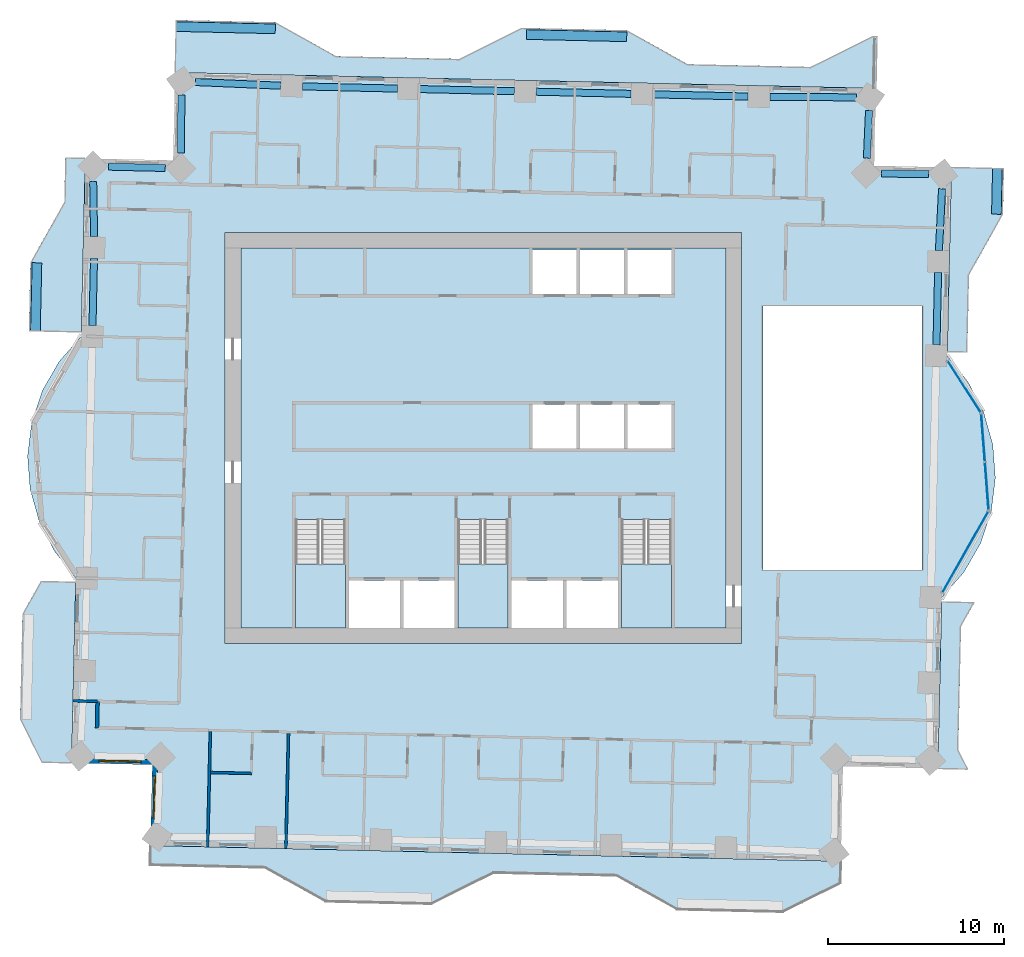
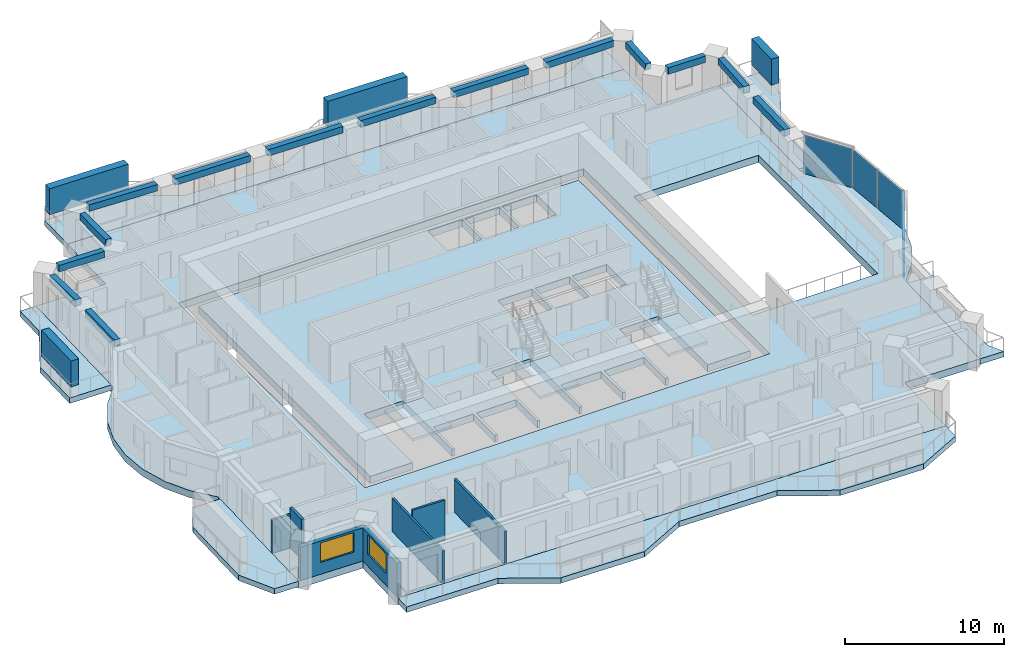
# One storey, part 3 of 14: 14 beams, 11 slabs, 7 walls, 4 members, 4 plates, 2 windows, 2 openings, 6 elements without a shape of their own.
"""IFC4 building model written with IfcOpenShell, lengths in metres."""

import ifcopenshell
import ifcopenshell.guid

model = None  # the IFC model being written
_history = None  # IfcOwnerHistory: only IFC2X3 demands one
_inside = {}  # id of a spatial element -> (the spatial element, [elements in it])
_under = {}  # id of a project, library or spatial element -> (it, [spatial elements below it])
_declared = {}  # id of a project -> (the project, [libraries it declares])
_typed = {}  # id of a type object -> (the type object, [elements of that type])
_made_of = {}  # id of a material, layer set ... -> (it, [elements and type objects made of it])


def new_model(schema):
    """Start an empty IFC model of exactly this schema.

    Asked for "IFC4X3", IfcOpenShell would pick the latest addendum, in which some entities
    have other attributes; the version numbers below select the first issue.
    IFC2X3 requires an IfcOwnerHistory on every rooted entity: one is made here for all.
    """
    global model, _history
    if schema == "IFC4X3":
        model = ifcopenshell.file(schema_version=(4, 3, 0, 0))
    else:
        model = ifcopenshell.file(schema=schema)
    _inside.clear()
    _under.clear()
    _declared.clear()
    _typed.clear()
    _made_of.clear()
    _history = None
    if model.schema == "IFC2X3":
        org = make("IfcOrganization", Name="unknown")
        user = make(
            "IfcPersonAndOrganization",
            ThePerson=make("IfcPerson", FamilyName="unknown"),
            TheOrganization=org,
        )
        app = make(
            "IfcApplication",
            ApplicationDeveloper=org,
            Version="unknown",
            ApplicationFullName="unknown",
            ApplicationIdentifier="unknown",
        )
        _history = make(
            "IfcOwnerHistory",
            OwningUser=user,
            OwningApplication=app,
            ChangeAction="ADDED",
            CreationDate=0,
        )
    return model


def make(cls, **values):
    """One entity of the class cls with the attributes given. An attribute that is None is left unset."""
    return model.create_entity(
        cls, **{name: value for name, value in values.items() if value is not None}
    )


def rooted(cls, **values):
    """An entity with a GlobalId (a new one), such as an element, a storey or a relation."""
    return make(cls, GlobalId=ifcopenshell.guid.new(), OwnerHistory=_history, **values)


def si_unit(unit_type, name, prefix=None):
    """IfcSIUnit, for example si_unit("LENGTHUNIT", "METRE", prefix="MILLI")."""
    return make("IfcSIUnit", UnitType=unit_type, Prefix=prefix, Name=name)


def assignment(units):
    """IfcUnitAssignment: the units of a project."""
    return None if units is None else make("IfcUnitAssignment", Units=units)


def point(xyz):
    """IfcCartesianPoint."""
    return None if xyz is None else make("IfcCartesianPoint", Coordinates=xyz)


def direction(xyz):
    """IfcDirection."""
    return None if xyz is None else make("IfcDirection", DirectionRatios=xyz)


def frame(location, z_axis=None, x_axis=None):
    """IfcAxis2Placement3D, a coordinate frame: its origin and axes. An axis left out is left unset."""
    return make(
        "IfcAxis2Placement3D",
        Location=point(location),
        Axis=direction(z_axis),
        RefDirection=direction(x_axis),
    )


def frame_2d(location, x_axis=None):
    """IfcAxis2Placement2D, a coordinate frame in the plane: its origin and x axis."""
    return make(
        "IfcAxis2Placement2D", Location=point(location), RefDirection=direction(x_axis)
    )


def origin():
    """The frame at (0, 0, 0) with its axes left unset."""
    return frame((0.0, 0.0, 0.0))


def origin_2d():
    """The frame at (0, 0) in the plane with its x axis left unset."""
    return frame_2d((0.0, 0.0))


def place(relative_to, where):
    """IfcLocalPlacement: puts the frame where relative to a parent placement (None: the world)."""
    return make(
        "IfcLocalPlacement", PlacementRelTo=relative_to, RelativePlacement=where
    )


def context(
    kind, dimensions, precision=None, world=None, true_north=None, identifier=None
):
    """IfcGeometricRepresentationContext, for example the 3D "Model" context."""
    return make(
        "IfcGeometricRepresentationContext",
        ContextIdentifier=identifier,
        ContextType=kind,
        CoordinateSpaceDimension=dimensions,
        Precision=precision,
        WorldCoordinateSystem=world,
        TrueNorth=true_north,
    )


def subcontext(parent, identifier, kind, view, scale=None):
    """IfcGeometricRepresentationSubContext, for example "Body" below "Model"."""
    return make(
        "IfcGeometricRepresentationSubContext",
        ContextIdentifier=identifier,
        ContextType=kind,
        ParentContext=parent,
        TargetScale=scale,
        TargetView=view,
    )


def project(units=None, contexts=None):
    """IfcProject with its units and contexts."""
    return rooted(
        "IfcProject",
        Name="project",
        RepresentationContexts=contexts,
        UnitsInContext=assignment(units),
    )


def spatial(cls, under=None, at=None, **own):
    """A site, building, storey or space (cls), placed at a placement, below another one or the project."""
    s = rooted(cls, ObjectPlacement=at, **own)
    if under is not None:
        _under.setdefault(under.id(), (under, []))[1].append(s)
    return s


def polyline(points):
    """IfcPolyline through the points."""
    return make("IfcPolyline", Points=[point(p) for p in points])


def profile(cls, at=None, kind="AREA", **sizes):
    """A parametric profile (cls). Its sizes go by their IFC names, for example OverallWidth=200.0."""
    return make(cls, ProfileType=kind, Position=at, **sizes)


def rectangle(**sizes):
    """IfcRectangleProfileDef."""
    return profile("IfcRectangleProfileDef", **sizes)


def outline(outer, holes=None, kind="AREA"):
    """IfcArbitraryClosedProfileDef: a profile drawn as a closed curve; with holes, ...WithVoids."""
    if holes is None:
        return make("IfcArbitraryClosedProfileDef", ProfileType=kind, OuterCurve=outer)
    return make(
        "IfcArbitraryProfileDefWithVoids",
        ProfileType=kind,
        OuterCurve=outer,
        InnerCurves=holes,
    )


def extrude(swept, where, along, depth):
    """IfcExtrudedAreaSolid: the profile swept, set in the frame where, extruded along a direction by depth."""
    return make(
        "IfcExtrudedAreaSolid",
        SweptArea=swept,
        Position=where,
        ExtrudedDirection=direction(along),
        Depth=depth,
    )


def shape(context_of_items, identifier, shape_type, items):
    """IfcShapeRepresentation: the items that make up one representation, for example the "Body"."""
    return make(
        "IfcShapeRepresentation",
        ContextOfItems=context_of_items,
        RepresentationIdentifier=identifier,
        RepresentationType=shape_type,
        Items=items,
    )


def material(Name=None, Category=None):
    """IfcMaterial."""
    return make("IfcMaterial", Name=Name, Category=Category)


def layer(
    of_material, thickness, ventilated=None, Name=None, Category=None, Priority=None
):
    """IfcMaterialLayer: one layer of a wall or slab, of a material (None: an air gap)."""
    return make(
        "IfcMaterialLayer",
        Material=of_material,
        LayerThickness=thickness,
        IsVentilated=ventilated,
        Name=Name,
        Category=Category,
        Priority=Priority,
    )


def layer_set(layers, Name=None):
    """IfcMaterialLayerSet."""
    return make("IfcMaterialLayerSet", MaterialLayers=layers, LayerSetName=Name)


def material_profile(
    of_material, cross_section, Name=None, Category=None, Priority=None
):
    """IfcMaterialProfile: a cross section and its material."""
    return make(
        "IfcMaterialProfile",
        Name=Name,
        Material=of_material,
        Profile=cross_section,
        Priority=Priority,
        Category=Category,
    )


def profile_set(profiles, Name=None, composite=None):
    """IfcMaterialProfileSet."""
    return make(
        "IfcMaterialProfileSet",
        Name=Name,
        MaterialProfiles=profiles,
        CompositeProfile=composite,
    )


def made_of(thing, what):
    """Note that an element or type object is made of a material, layer set ...; save() writes the relation."""
    if what is not None:
        _made_of.setdefault(what.id(), (what, []))[1].append(thing)
    return thing


def type_object(cls, material=None, **own):
    """A type object (cls), such as IfcWallType, which elements share."""
    return made_of(rooted(cls, **own), material)


def element(
    cls,
    number,
    at=None,
    inside=None,
    cuts=None,
    type_object=None,
    material=None,
    context=None,
    identifier="Body",
    shape_type=None,
    held_by="IfcProductDefinitionShape",
    body=None,
    shapes=None,
    **own,
):
    """One element of the class cls, such as IfcWall. Its Tag is "e" and its number.

    at: its placement. inside: the storey or other place that contains it. cuts: it is an
    opening in that element (IfcRelVoidsElement). A single representation is given by context,
    identifier, shape_type and body (its items); several are given by shapes. held_by: the class
    of the entity that holds the representations. save() writes the other relations.
    """
    e = rooted(cls, Tag="e%d" % number, ObjectPlacement=at, **own)
    if body is not None:
        shapes = [shape(context, identifier, shape_type, body)]
    if shapes is not None:
        e.Representation = make(held_by, Representations=shapes)
    if inside is not None:
        _inside.setdefault(inside.id(), (inside, []))[1].append(e)
    if cuts is not None:
        rooted(
            "IfcRelVoidsElement", RelatingBuildingElement=cuts, RelatedOpeningElement=e
        )
    if type_object is not None:
        _typed.setdefault(type_object.id(), (type_object, []))[1].append(e)
    return made_of(e, material)


def fill(opening, filler):
    """IfcRelFillsElement: the door or window that sits in an opening."""
    return rooted(
        "IfcRelFillsElement",
        RelatingOpeningElement=opening,
        RelatedBuildingElement=filler,
    )


def aggregate(whole, parts):
    """IfcRelAggregates: a whole, such as a stair, and the parts it consists of."""
    return rooted("IfcRelAggregates", RelatingObject=whole, RelatedObjects=parts)


def save(model, path):
    """Write the relations noted so far, then the file.

    IfcRelAggregates (storeys below a building ...), IfcRelContainedInSpatialStructure (elements
    in a storey), IfcRelDefinesByType, IfcRelAssociatesMaterial and IfcRelDeclares: one each for
    every whole, place, type object, material and project.
    """
    for whole, parts in _under.values():
        aggregate(whole, parts)
    for where, things in _inside.values():
        rooted(
            "IfcRelContainedInSpatialStructure",
            RelatedElements=things,
            RelatingStructure=where,
        )
    for kind, things in _typed.values():
        rooted("IfcRelDefinesByType", RelatedObjects=things, RelatingType=kind)
    for what, things in _made_of.values():
        rooted("IfcRelAssociatesMaterial", RelatedObjects=things, RelatingMaterial=what)
    for by, libraries in _declared.values():
        rooted("IfcRelDeclares", RelatingContext=by, RelatedDefinitions=libraries)
    model.write(path)


model = new_model("IFC4")

# Units and contexts
model_context = context("Model", 3, precision=1e-05, world=origin(), true_north=direction((0.0, 1.0)))
body_context = subcontext(model_context, "Body", "Model", "MODEL_VIEW")
ifc_project = project(units=[si_unit("LENGTHUNIT", "METRE"), si_unit("AREAUNIT", "SQUARE_METRE"), si_unit("VOLUMEUNIT", "CUBIC_METRE"), si_unit("PLANEANGLEUNIT", "RADIAN"), si_unit("MASSUNIT", "GRAM", prefix="KILO")], contexts=[model_context])

# Site, building, storey
site_placement = place(None, origin())
site = spatial("IfcSite", under=ifc_project, at=site_placement, CompositionType="ELEMENT")
building_placement = place(site_placement, origin())
building = spatial("IfcBuilding", under=site, at=building_placement, Name="Mangrove Gate Tower", CompositionType="ELEMENT")
storey_placement = place(building_placement, frame((0.0, 0.0, 167.10009765625)))
storey = spatial("IfcBuildingStorey", under=building, at=storey_placement, Name="L42", CompositionType="ELEMENT", Elevation=167.10009765625)

# Members
ifc_material_1 = material(Name="Planting on aluminium trellis", Category="aluminium")
ifc_material_profile_1 = material_profile(ifc_material_1, rectangle(XDim=0.550048828125, YDim=2.0, at=origin_2d()))
ifc_profile_set_1 = profile_set([ifc_material_profile_1], Name="Planting on aluminium trellis")
member_type = type_object("IfcMemberType", Name="Balcony greenery screen 550x2000", PredefinedType="USERDEFINED", material=ifc_profile_set_1)
member_1_placement = place(storey_placement, frame((29.18798828125, 12.72802734375, 1.7998046875), z_axis=(0.022727805448, 0.999741690068, 0.0), x_axis=(-0.999741690068, 0.022727805448, 0.0)))
element("IfcMember", 1, at=member_1_placement, inside=storey, type_object=member_type, Name="GREEN SCREEN L42 E1.1", ObjectType="PLANTING", PredefinedType="USERDEFINED", context=body_context, shape_type="SweptSolid", body=[
    extrude(rectangle(XDim=0.550048828125, YDim=2.0, at=origin_2d()), origin(), (0.0, 0.0, 1.0), 2.599609375),
])
member_2_placement = place(storey_placement, frame((2.458984375, 22.951904296875, 1.7998046875), z_axis=(0.999744196375, -0.022617290187, 0.0), x_axis=(0.022617290187, 0.999744196375, 0.0)))
element("IfcMember", 2, at=member_2_placement, inside=storey, type_object=member_type, Name="GREEN SCREEN L42 N0.1", ObjectType="PLANTING", PredefinedType="USERDEFINED", context=body_context, shape_type="SweptSolid", body=[
    extrude(rectangle(XDim=0.550048828125, YDim=2.0, at=origin_2d()), origin(), (0.0, 0.0, 1.0), 5.699462890625),
])
member_3_placement = place(storey_placement, frame((-17.47607421875, 23.404052734375, 1.7998046875), z_axis=(0.999741701433, -0.022727305502, 0.0), x_axis=(0.022727305502, 0.999741701433, 0.0)))
element("IfcMember", 3, at=member_3_placement, inside=storey, type_object=member_type, Name="GREEN SCREEN L42 N1.1", ObjectType="PLANTING", PredefinedType="USERDEFINED", context=body_context, shape_type="SweptSolid", body=[
    extrude(rectangle(XDim=0.550048828125, YDim=2.0, at=origin_2d()), origin(), (0.0, 0.0, 1.0), 5.6396484375),
])
member_4_placement = place(storey_placement, frame((-25.486083984375, 6.092041015625, 1.7998046875), z_axis=(0.022744303924, 0.999741314861, 0.0), x_axis=(-0.999741314861, 0.022744303924, 0.0)))
element("IfcMember", 4, at=member_4_placement, inside=storey, type_object=member_type, Name="GREEN SCREEN L42 W0.1", ObjectType="PLANTING", PredefinedType="USERDEFINED", context=body_context, shape_type="SweptSolid", body=[
    extrude(rectangle(XDim=0.550048828125, YDim=2.0, at=origin_2d()), origin(), (0.0, 0.0, 1.0), 3.875),
])

# Beams
ifc_material_2 = material(Name="Concrete C50/60", Category="concrete")
ifc_material_profile_2 = material_profile(ifc_material_2, rectangle(XDim=0.39990234375, YDim=0.5, at=origin_2d()))
ifc_profile_set_2 = profile_set([ifc_material_profile_2], Name="Concrete C50/60")
beam_type = type_object("IfcBeamType", Name="Edge beam RC 400x500 C50/60", PredefinedType="BEAM", material=ifc_profile_set_2)
beam_1_placement = place(storey_placement, frame((25.779296875, 5.303955078125, 2.7998046875), z_axis=(0.022564934913, 0.99974537944, 0.0), x_axis=(-0.99974537944, 0.022564934913, 0.0)))
element("IfcBeam", 5, at=beam_1_placement, inside=storey, type_object=beam_type, Name="Edge beam L42 15", PredefinedType="BEAM", context=body_context, shape_type="SweptSolid", body=[
    extrude(rectangle(XDim=0.39990234375, YDim=0.5, at=origin_2d()), origin(), (0.0, 0.0, 1.0), 4.111328125),
])
beam_2_placement = place(storey_placement, frame((25.918212890625, 10.66357421875, 2.7998046875), z_axis=(0.051264492748, 0.998685111426, 0.0), x_axis=(-0.998685111426, 0.051264492748, 0.0)))
element("IfcBeam", 6, at=beam_2_placement, inside=storey, type_object=beam_type, Name="Edge beam L42 16", PredefinedType="BEAM", context=body_context, shape_type="SweptSolid", body=[
    extrude(rectangle(XDim=0.39990234375, YDim=0.5, at=origin_2d()), origin(), (0.0, 0.0, 1.0), 3.5146484375),
])
beam_3_placement = place(storey_placement, frame((25.33935546875, 15.010498046875, 2.7998046875), z_axis=(-0.999924520308, 0.012286321129, 0.0), x_axis=(-0.012286321129, -0.999924520308, 0.0)))
element("IfcBeam", 7, at=beam_3_placement, inside=storey, type_object=beam_type, Name="Edge beam L42 17", PredefinedType="BEAM", context=body_context, shape_type="SweptSolid", body=[
    extrude(rectangle(XDim=0.39990234375, YDim=0.5, at=origin_2d()), origin(), (0.0, 0.0, 1.0), 2.6826171875),
])
beam_4_placement = place(storey_placement, frame((21.821044921875, 15.91796875, 2.7998046875), z_axis=(0.04517139191, 0.998979251713, 0.0), x_axis=(-0.998979251713, 0.04517139191, 0.0)))
element("IfcBeam", 8, at=beam_4_placement, inside=storey, type_object=beam_type, Name="Edge beam L42 18", PredefinedType="BEAM", context=body_context, shape_type="SweptSolid", body=[
    extrude(rectangle(XDim=0.39990234375, YDim=0.5, at=origin_2d()), origin(), (0.0, 0.0, 1.0), 2.718505859375),
])
beam_5_placement = place(storey_placement, frame((21.21923828125, 19.37646484375, 2.7998046875), z_axis=(-0.999980449933, 0.006252979488, 0.0), x_axis=(-0.006252979488, -0.999980449933, 0.0)))
element("IfcBeam", 9, at=beam_5_placement, inside=storey, type_object=beam_type, Name="Edge beam L42 19", PredefinedType="BEAM", context=body_context, shape_type="SweptSolid", body=[
    extrude(rectangle(XDim=0.39990234375, YDim=0.5, at=origin_2d()), origin(), (0.0, 0.0, 1.0), 4.91943359375),
])
beam_6_placement = place(storey_placement, frame((15.050048828125, 19.42529296875, 2.7998046875), z_axis=(-0.99974211572, 0.022709074303, 0.0), x_axis=(-0.022709074303, -0.99974211572, 0.0)))
element("IfcBeam", 10, at=beam_6_placement, inside=storey, type_object=beam_type, Name="Edge beam L42 20", PredefinedType="BEAM", context=body_context, shape_type="SweptSolid", body=[
    extrude(rectangle(XDim=0.39990234375, YDim=0.5, at=origin_2d()), origin(), (0.0, 0.0, 1.0), 5.39697265625),
])
for number, where, z_axis, x_axis, name in (
    (11, (8.405029296875, 19.576416015625, 2.7998046875), (-0.99974209239, 0.022710101379, 0.0), (-0.022710101379, -0.99974209239, 0.0), "Edge beam L42 21"),
    (12, (1.760009765625, 19.727294921875, 2.7998046875), (-0.999745164565, 0.022574453012, 0.0), (-0.022574453012, -0.999745164565, 0.0), "Edge beam L42 22"),
    (13, (-4.885009765625, 19.87744140625, 2.7998046875), (-0.99974209239, 0.022710101379, 0.0), (-0.022710101379, -0.99974209239, 0.0), "Edge beam L42 23"),
):
    element("IfcBeam", number, at=place(storey_placement, frame(where, z_axis=z_axis, x_axis=x_axis)), inside=storey, type_object=beam_type, Name=name, PredefinedType="BEAM", context=body_context, shape_type="SweptSolid", body=[
        extrude(rectangle(XDim=0.39990234375, YDim=0.5, at=origin_2d()), origin(), (0.0, 0.0, 1.0), 5.396728515625),
    ])
beam_7_placement = place(storey_placement, frame((-11.52978515625, 20.040771484375, 2.7998046875), z_axis=(-0.99908526165, 0.04276259995, 0.0), x_axis=(-0.04276259995, -0.99908526165, 0.0)))
element("IfcBeam", 14, at=beam_7_placement, inside=storey, type_object=beam_type, Name="Edge beam L42 24", PredefinedType="BEAM", context=body_context, shape_type="SweptSolid", body=[
    extrude(rectangle(XDim=0.39990234375, YDim=0.5, at=origin_2d()), origin(), (0.0, 0.0, 1.0), 4.852783203125),
])
beam_8_placement = place(storey_placement, frame((-17.1787109375, 19.5078125, 2.7998046875), z_axis=(-0.009256805477, -0.999957154858, 0.0), x_axis=(0.999957154858, -0.009256805477, 0.0)))
element("IfcBeam", 15, at=beam_8_placement, inside=storey, type_object=beam_type, Name="Edge beam L42 25", PredefinedType="BEAM", context=body_context, shape_type="SweptSolid", body=[
    extrude(rectangle(XDim=0.39990234375, YDim=0.5, at=origin_2d()), origin(), (0.0, 0.0, 1.0), 3.296875),
])
beam_9_placement = place(storey_placement, frame((-18.100341796875, 15.35986328125, 2.7998046875), z_axis=(-0.999728264074, 0.023310899004, 0.0), x_axis=(-0.023310899004, -0.999728264074, 0.0)))
element("IfcBeam", 16, at=beam_9_placement, inside=storey, type_object=beam_type, Name="Edge beam L42 26", PredefinedType="BEAM", context=body_context, shape_type="SweptSolid", body=[
    extrude(rectangle(XDim=0.39990234375, YDim=0.5, at=origin_2d()), origin(), (0.0, 0.0, 1.0), 3.236328125),
])
beam_10_placement = place(storey_placement, frame((-22.199462890625, 14.599609375, 2.7998046875), z_axis=(0.016224572201, -0.999868372966, 0.0), x_axis=(0.999868372966, 0.016224572201, 0.0)))
element("IfcBeam", 17, at=beam_10_placement, inside=storey, type_object=beam_type, Name="Edge beam L42 27", PredefinedType="BEAM", context=body_context, shape_type="SweptSolid", body=[
    extrude(rectangle(XDim=0.39990234375, YDim=0.5, at=origin_2d()), origin(), (0.0, 0.0, 1.0), 3.14501953125),
])
beam_11_placement = place(storey_placement, frame((-22.15234375, 10.205078125, 2.7998046875), z_axis=(-0.022733042384, -0.999741570999, 0.0), x_axis=(0.999741570999, -0.022733042384, 0.0)))
element("IfcBeam", 18, at=beam_11_placement, inside=storey, type_object=beam_type, Name="Edge beam L42 28", PredefinedType="BEAM", context=body_context, shape_type="SweptSolid", body=[
    extrude(rectangle(XDim=0.39990234375, YDim=0.5, at=origin_2d()), origin(), (0.0, 0.0, 1.0), 3.8125),
])

# Curtain wall, plate
ifc_material_3 = material(Name="Aluminium and glass curtain wall", Category="aluminium")
curtain_wall_type = type_object("IfcCurtainWallType", Name="Atrium garden-court glazing wall", PredefinedType="NOTDEFINED", material=ifc_material_3)
curtain_wall_1_placement = place(storey_placement, origin())
curtain_wall_1 = element("IfcCurtainWall", 19, at=curtain_wall_1_placement, inside=storey, type_object=curtain_wall_type, Name="Atrium garden-court glazing E1f1", PredefinedType="NOTDEFINED")
ifc_material_4 = material(Name="Laminated low-e glass", Category="glass")
ifc_layer_1 = layer(ifc_material_4, 0.031982421875)
ifc_layer_set_1 = layer_set([ifc_layer_1], Name="Atrium garden-court glazing panel 32")
plate_type = type_object("IfcPlateType", Name="Atrium garden-court glazing panel 32", PredefinedType="CURTAIN_PANEL", material=ifc_layer_set_1)
plate_1_placement = place(storey_placement, frame((27.4228515625, -6.48876953125, 0.0), z_axis=(0.0, 0.0, 1.0), x_axis=(0.492564461279, 0.870275962833, 0.0)))
plate_1 = element("IfcPlate", 20, at=plate_1_placement, type_object=plate_type, Name="CWA panel 1.1", PredefinedType="CURTAIN_PANEL", context=body_context, shape_type="SweptSolid", body=[
    extrude(rectangle(XDim=5.257568359375, YDim=0.031982421875, at=origin_2d()), origin(), (0.0, 0.0, 1.0), 2.97998046875),
])
aggregate(curtain_wall_1, [plate_1])

# Curtain wall, plates
curtain_wall_2_placement = place(storey_placement, origin())
curtain_wall_2 = element("IfcCurtainWall", 21, at=curtain_wall_2_placement, inside=storey, type_object=curtain_wall_type, Name="Atrium garden-court glazing E1f2", PredefinedType="NOTDEFINED")
plate_2_placement = place(storey_placement, frame((28.6435546875, -2.7333984375, 0.0), z_axis=(0.0, 0.0, 1.0), x_axis=(-0.077023348403, 0.997029289339, 0.0)))
plate_2 = element("IfcPlate", 22, at=plate_2_placement, type_object=plate_type, Name="CWA panel 1.1", PredefinedType="CURTAIN_PANEL", context=body_context, shape_type="SweptSolid", body=[
    extrude(rectangle(XDim=2.681640625, YDim=0.031982421875, at=origin_2d()), origin(), (0.0, 0.0, 1.0), 2.97998046875),
])
plate_3_placement = place(storey_placement, frame((28.431640625, 0.01025390625, 0.0), z_axis=(0.0, 0.0, 1.0), x_axis=(-0.077023348403, 0.997029289339, 0.0)))
plate_3 = element("IfcPlate", 23, at=plate_3_placement, type_object=plate_type, Name="CWA panel 2.1", PredefinedType="CURTAIN_PANEL", context=body_context, shape_type="SweptSolid", body=[
    extrude(rectangle(XDim=2.681640625, YDim=0.031982421875, at=origin_2d()), origin(), (0.0, 0.0, 1.0), 2.97998046875),
])
aggregate(curtain_wall_2, [plate_2, plate_3])

# Curtain wall, plate
curtain_wall_3_placement = place(storey_placement, origin())
curtain_wall_3 = element("IfcCurtainWall", 24, at=curtain_wall_3_placement, inside=storey, type_object=curtain_wall_type, Name="Atrium garden-court glazing E1f3", PredefinedType="NOTDEFINED")
plate_4_placement = place(storey_placement, frame((27.358642578125, 2.917724609375, 0.0), z_axis=(0.0, 0.0, 1.0), x_axis=(-0.540496322894, 0.841346376315, 0.0)))
plate_4 = element("IfcPlate", 25, at=plate_4_placement, type_object=plate_type, Name="CWA panel 1.1", PredefinedType="CURTAIN_PANEL", context=body_context, shape_type="SweptSolid", body=[
    extrude(rectangle(XDim=3.427978515625, YDim=0.031982421875, at=origin_2d()), origin(), (0.0, 0.0, 1.0), 2.97998046875),
])
aggregate(curtain_wall_3, [plate_4])

# Slabs
ifc_material_5 = material(Name="Porcelain tile")
ifc_layer_2 = layer(ifc_material_5, 0.02001953125, Name="Tile finish")
ifc_material_6 = material(Name="Cement sand screed")
ifc_layer_3 = layer(ifc_material_6, 0.0400390625, Name="Screed laid to falls")
ifc_material_7 = material(Name="Bituminous waterproofing membrane")
ifc_layer_4 = layer(ifc_material_7, 0.00390625, Name="Waterproofing")
ifc_material_8 = material(Name="Concrete C40/50", Category="concrete")
ifc_layer_5 = layer(ifc_material_8, 0.340087890625, Name="Balcony structural slab")
ifc_material_9 = material(Name="Limestone", Category="masonry")
ifc_layer_6 = layer(ifc_material_9, 0.01611328125, Name="Soffit lining")
ifc_layer_set_2 = layer_set([ifc_layer_2, ifc_layer_3, ifc_layer_4, ifc_layer_5, ifc_layer_6], Name="Balcony slab 420 C40/50")
slab_type_1 = type_object("IfcSlabType", Name="Balcony slab 420 C40/50", PredefinedType="FLOOR", material=ifc_layer_set_2)
slab_1_placement = place(storey_placement, frame((0.0, 0.0, -0.420166015625)))
element("IfcSlab", 26, at=slab_1_placement, inside=storey, type_object=slab_type_1, Name="BALCONY L42 E0", PredefinedType="FLOOR", context=body_context, shape_type="SweptSolid", body=[
    extrude(outline(polyline([(27.577880859375, -18.843994140625), (27.02197265625, -17.73095703125), (27.180908203125, -10.73291015625), (27.93798828125, -9.375), (26.072021484375, -9.3330078125), (26.041015625, -10.70703125), (25.882080078125, -17.705078125), (25.85693359375, -18.804931640625), (27.577880859375, -18.843994140625)])), origin(), (0.0, 0.0, 1.0), 0.420166015625),
])
slab_2_placement = place(storey_placement, frame((0.0, 0.0, -0.420166015625)))
element("IfcSlab", 27, at=slab_2_placement, inside=storey, type_object=slab_type_1, Name="BALCONY L42 E1", PredefinedType="FLOOR", context=body_context, shape_type="SweptSolid", body=[
    extrude(outline(polyline([(27.534912109375, 4.888916015625), (27.634033203125, 9.261962890625), (29.56298828125, 12.718994140625), (29.6220703125, 15.319091796875), (26.633056640625, 15.385986328125), (26.573974609375, 12.787109375), (26.4951171875, 9.2880859375), (26.39501953125, 4.9140625), (27.534912109375, 4.888916015625)])), origin(), (0.0, 0.0, 1.0), 0.420166015625),
])
slab_3_placement = place(storey_placement, frame((0.0, 0.0, -0.420166015625)))
element("IfcSlab", 28, at=slab_3_placement, inside=storey, type_object=slab_type_1, Name="BALCONY L42 N0", PredefinedType="FLOOR", context=body_context, shape_type="SweptSolid", body=[
    extrude(outline(polyline([(22.402099609375, 22.8740234375), (22.162109375, 22.8798828125), (18.62109375, 21.110107421875), (11.623046875, 21.26904296875), (8.1650390625, 23.197021484375), (2.1669921875, 23.333984375), (-1.3740234375, 21.56396484375), (-8.3720703125, 21.721923828125), (-11.8291015625, 23.65087890625), (-17.468017578125, 23.779052734375), (-17.535888671875, 20.7900390625), (2.09912109375, 20.343994140625), (2.39892578125, 20.337890625), (22.333984375, 19.885009765625), (22.402099609375, 22.8740234375)])), origin(), (0.0, 0.0, 1.0), 0.420166015625),
])
slab_4_placement = place(storey_placement, frame((0.0, 0.0, -0.420166015625)))
element("IfcSlab", 29, at=slab_4_placement, inside=storey, type_object=slab_type_1, Name="BALCONY L42 W0", PredefinedType="FLOOR", context=body_context, shape_type="SweptSolid", body=[
    extrude(outline(polyline([(-23.7880859375, 15.930908203125), (-23.843994140625, 13.430908203125), (-25.77294921875, 9.97412109375), (-25.861083984375, 6.10009765625), (-22.8720703125, 6.032958984375), (-22.783935546875, 9.906005859375), (-22.705078125, 13.405029296875), (-22.64794921875, 15.905029296875), (-23.7880859375, 15.930908203125)])), origin(), (0.0, 0.0, 1.0), 0.420166015625),
])
slab_5_placement = place(storey_placement, frame((0.0, 0.0, -0.420166015625)))
element("IfcSlab", 30, at=slab_5_placement, inside=storey, type_object=slab_type_1, Name="BALCONY L42 W1", PredefinedType="FLOOR", context=body_context, shape_type="SweptSolid", body=[
    extrude(outline(polyline([(-25.194091796875, -8.1689453125), (-26.22705078125, -10.02099609375), (-26.363037109375, -16.01904296875), (-25.14892578125, -18.447021484375), (-23.427978515625, -18.487060546875), (-23.3740234375, -16.0869140625), (-23.238037109375, -10.089111328125), (-23.195068359375, -8.214111328125), (-25.194091796875, -8.1689453125)])), origin(), (0.0, 0.0, 1.0), 0.420166015625),
])
slab_6_placement = place(storey_placement, frame((0.0, 0.0, -0.420166015625)))
element("IfcSlab", 31, at=slab_6_placement, inside=storey, type_object=slab_type_1, Name="BALCONY L42 S0", PredefinedType="FLOOR", context=body_context, shape_type="SweptSolid", body=[
    extrude(outline(polyline([(-18.9599609375, -24.3291015625), (-12.422119140625, -24.47802734375), (-8.964111328125, -26.406982421875), (-2.966064453125, -26.54296875), (0.574951171875, -24.77294921875), (0.675048828125, -24.77490234375), (7.572998046875, -24.931884765625), (11.030029296875, -26.860107421875), (17.029052734375, -26.9970703125), (20.306884765625, -25.35791015625), (20.3359375, -24.0810546875), (-18.93408203125, -23.18994140625), (-18.9599609375, -24.3291015625)])), origin(), (0.0, 0.0, 1.0), 0.420166015625),
])
ifc_material_10 = material(Name="Concrete C40/50", Category="concrete")
ifc_layer_7 = layer(ifc_material_10, 0.550048828125)
ifc_layer_set_3 = layer_set([ifc_layer_7], Name="Core floor slab 550 C40/50")
slab_type_2 = type_object("IfcSlabType", Name="Core floor slab 550 C40/50", PredefinedType="FLOOR", material=ifc_layer_set_3)
slab_7_placement = place(storey_placement, frame((0.0, 0.0, -0.550048828125)))
element("IfcSlab", 32, at=slab_7_placement, inside=storey, type_object=slab_type_2, Name="SLAB-L42-CORE-1", PredefinedType="FLOOR", context=body_context, shape_type="SweptSolid", body=[
    extrude(outline(polyline([(-13.800048828125, -10.800048828125), (-13.800048828125, 10.800048828125), (13.800048828125, 10.800048828125), (13.800048828125, -10.800048828125), (10.699951171875, -10.800048828125), (10.699951171875, -4.653076171875), (7.85009765625, -4.653076171875), (7.85009765625, -10.800048828125), (7.64990234375, -10.800048828125), (7.64990234375, -8.10009765625), (4.72509765625, -8.10009765625), (4.72509765625, -10.800048828125), (4.52490234375, -10.800048828125), (4.52490234375, -8.10009765625), (1.60009765625, -8.10009765625), (1.60009765625, -10.800048828125), (1.39990234375, -10.800048828125), (1.39990234375, -4.653076171875), (-1.449951171875, -4.653076171875), (-1.449951171875, -10.800048828125), (-1.64990234375, -10.800048828125), (-1.64990234375, -8.10009765625), (-4.550048828125, -8.10009765625), (-4.550048828125, -10.800048828125), (-4.75, -10.800048828125), (-4.75, -8.10009765625), (-7.64990234375, -8.10009765625), (-7.64990234375, -10.800048828125), (-7.85009765625, -10.800048828125), (-7.85009765625, -4.653076171875), (-10.699951171875, -4.653076171875), (-10.699951171875, -10.800048828125), (-13.800048828125, -10.800048828125)]), holes=[polyline([(5.300048828125, -0.60009765625), (5.300048828125, 1.89990234375), (2.800048828125, 1.89990234375), (2.800048828125, -0.60009765625), (5.300048828125, -0.60009765625)]), polyline([(5.300048828125, 10.699951171875), (2.800048828125, 10.699951171875), (2.800048828125, 8.199951171875), (5.300048828125, 8.199951171875), (5.300048828125, 10.699951171875)]), polyline([(8.0, -0.60009765625), (8.0, 1.89990234375), (5.5, 1.89990234375), (5.5, -0.60009765625), (8.0, -0.60009765625)]), polyline([(10.699951171875, -0.60009765625), (10.699951171875, 1.89990234375), (8.199951171875, 1.89990234375), (8.199951171875, -0.60009765625), (10.699951171875, -0.60009765625)]), polyline([(8.0, 8.199951171875), (8.0, 10.699951171875), (5.5, 10.699951171875), (5.5, 8.199951171875), (8.0, 8.199951171875)]), polyline([(10.699951171875, 8.199951171875), (10.699951171875, 10.699951171875), (8.199951171875, 10.699951171875), (8.199951171875, 8.199951171875), (10.699951171875, 8.199951171875)])]), origin(), (0.0, 0.0, 1.0), 0.550048828125),
])

# Stair, slab
ifc_material_11 = material(Name="Concrete C40/50", Category="concrete")
stair_type = type_object("IfcStairType", Name="Core stair 1350", PredefinedType="HALF_TURN_STAIR", material=ifc_material_11)
stair_1_placement = place(storey_placement, origin())
stair_1 = element("IfcStair", 33, at=stair_1_placement, inside=storey, type_object=stair_type, Name="L42 Stair 1", PredefinedType="HALF_TURN_STAIR")
ifc_material_12 = material(Name="Concrete C40/50", Category="concrete")
ifc_layer_8 = layer(ifc_material_12, 0.199951171875)
ifc_layer_set_4 = layer_set([ifc_layer_8], Name="Core stair landing 200")
slab_type_3 = type_object("IfcSlabType", Name="Core stair landing 200", PredefinedType="LANDING", material=ifc_layer_set_4)
slab_8_placement = place(storey_placement, frame((0.0, 0.0, 1.599853515625)))
slab_8 = element("IfcSlab", 34, at=slab_8_placement, type_object=slab_type_3, Name="ST1 landing 1", PredefinedType="LANDING", context=body_context, shape_type="SweptSolid", body=[
    extrude(outline(polyline([(-10.699951171875, -7.169921875), (-10.699951171875, -10.800048828125), (-7.85009765625, -10.800048828125), (-7.85009765625, -7.169921875), (-10.699951171875, -7.169921875)])), origin(), (0.0, 0.0, 1.0), 0.199951171875),
])
aggregate(stair_1, [slab_8])

stair_2_placement = place(storey_placement, origin())
stair_2 = element("IfcStair", 35, at=stair_2_placement, inside=storey, type_object=stair_type, Name="L42 Stair 2", PredefinedType="HALF_TURN_STAIR")
slab_9_placement = place(storey_placement, frame((0.0, 0.0, 1.599853515625)))
slab_9 = element("IfcSlab", 36, at=slab_9_placement, type_object=slab_type_3, Name="ST2 landing 1", PredefinedType="LANDING", context=body_context, shape_type="SweptSolid", body=[
    extrude(outline(polyline([(-1.449951171875, -7.169921875), (-1.449951171875, -10.800048828125), (1.39990234375, -10.800048828125), (1.39990234375, -7.169921875), (-1.449951171875, -7.169921875)])), origin(), (0.0, 0.0, 1.0), 0.199951171875),
])
aggregate(stair_2, [slab_9])

stair_3_placement = place(storey_placement, origin())
stair_3 = element("IfcStair", 37, at=stair_3_placement, inside=storey, type_object=stair_type, Name="L42 Stair 3", PredefinedType="HALF_TURN_STAIR")
slab_10_placement = place(storey_placement, frame((0.0, 0.0, 1.599853515625)))
slab_10 = element("IfcSlab", 38, at=slab_10_placement, type_object=slab_type_3, Name="ST3 landing 1", PredefinedType="LANDING", context=body_context, shape_type="SweptSolid", body=[
    extrude(outline(polyline([(7.85009765625, -7.169921875), (7.85009765625, -10.800048828125), (10.699951171875, -10.800048828125), (10.699951171875, -7.169921875), (7.85009765625, -7.169921875)])), origin(), (0.0, 0.0, 1.0), 0.199951171875),
])
aggregate(stair_3, [slab_10])

# Slab
ifc_material_13 = material(Name="Concrete C40/50", Category="concrete")
ifc_layer_9 = layer(ifc_material_13, 0.550048828125)
ifc_layer_set_5 = layer_set([ifc_layer_9], Name="Floor slab 550 C40/50")
slab_type_4 = type_object("IfcSlabType", Name="Floor slab 550 C40/50", PredefinedType="FLOOR", material=ifc_layer_set_5)
slab_11_placement = place(storey_placement, frame((0.0, 0.0, -0.550048828125)))
element("IfcSlab", 39, at=slab_11_placement, inside=storey, type_object=slab_type_4, Name="Floor slab L42", PredefinedType="FLOOR", context=body_context, shape_type="SweptSolid", body=[
    extrude(outline(polyline([(-18.93408203125, -23.189697265625), (20.3359375, -24.080810546875), (20.45849609375, -18.68212890625), (25.85693359375, -18.8046875), (26.07763671875, -9.08251953125), (27.340576171875, -7.64599609375), (28.293701171875, -5.98779296875), (28.899169921875, -4.17333984375), (29.1328125, -2.27490234375), (28.985595703125, -0.36767578125), (28.463134765625, 1.472412109375), (27.586181640625, 3.172119140625), (26.3896484375, 4.66455078125), (26.633056640625, 15.386474609375), (22.234130859375, 15.486328125), (22.333984375, 19.88525390625), (-17.535888671875, 20.789794921875), (-17.649169921875, 15.791259765625), (-22.64794921875, 15.904541015625), (-22.877685546875, 5.782470703125), (-24.140625, 4.345947265625), (-25.09375, 2.687744140625), (-25.69921875, 0.873291015625), (-25.932861328125, -1.025146484375), (-25.78564453125, -2.932373046875), (-25.26318359375, -4.772216796875), (-24.38623046875, -6.47216796875), (-23.189697265625, -7.964599609375), (-23.428466796875, -18.486572265625), (-18.82958984375, -18.5908203125), (-18.93408203125, -23.189697265625)]), holes=[polyline([(15.89990234375, 7.5), (24.964111328125, 7.5), (24.964111328125, -7.5), (15.89990234375, -7.5), (15.89990234375, 7.5)]), polyline([(-14.699951171875, -11.699951171875), (-14.699951171875, 11.699951171875), (14.699951171875, 11.699951171875), (14.699951171875, -11.699951171875), (-14.699951171875, -11.699951171875)])]), origin(), (0.0, 0.0, 1.0), 0.550048828125),
])

# Wall
ifc_material_14 = material(Name="Gypsum board on steel stud, EI 60", Category="steel")
ifc_layer_10 = layer(ifc_material_14, 0.199951171875)
ifc_layer_set_6 = layer_set([ifc_layer_10], Name="Corridor wall EI 60")
wall_type_1 = type_object("IfcWallType", Name="Corridor wall EI 60", PredefinedType="PARTITIONING", material=ifc_layer_set_6)
wall_1_placement = place(storey_placement, frame((-21.98291015625, -16.492919921875, 0.0), z_axis=(0.0, 0.0, 1.0), x_axis=(0.022617910375, 0.999744182344, 0.0)))
element("IfcWall", 40, at=wall_1_placement, inside=storey, type_object=wall_type_1, Name="WALL-L42-022", PredefinedType="PARTITIONING", context=body_context, shape_type="SweptSolid", body=[
    extrude(rectangle(XDim=1.50048828125, YDim=0.199951171875, at=frame_2d((0.750244140625, 0.0))), origin(), (0.0, 0.0, 1.0), 3.0498046875),
])

# Wall, opening, window
ifc_layer_11 = layer(ifc_material_9, 0.0400390625, Name="Limestone cladding")
ifc_material_15 = material(Name="Ventilated air gap")
ifc_layer_12 = layer(ifc_material_15, 0.0400390625, Name="Ventilated cavity")
ifc_material_16 = material(Name="Mineral wool insulation")
ifc_layer_13 = layer(ifc_material_16, 0.06005859375, Name="Insulation")
ifc_material_17 = material(Name="Breather membrane")
ifc_layer_14 = layer(ifc_material_17, 0.001953125, Name="Breather membrane")
ifc_material_18 = material(Name="Concrete C20/25 blockwork", Category="masonry")
ifc_layer_15 = layer(ifc_material_18, 0.14990234375, Name="Blockwork backing wall")
ifc_material_19 = material(Name="Gypsum plaster")
ifc_layer_16 = layer(ifc_material_19, 0.008056640625, Name="Internal plaster")
ifc_layer_set_7 = layer_set([ifc_layer_11, ifc_layer_12, ifc_layer_13, ifc_layer_14, ifc_layer_15, ifc_layer_16], Name="External wall 300 limestone cladding")
wall_type_2 = type_object("IfcWallType", Name="External wall 300 limestone cladding", PredefinedType="SOLIDWALL", material=ifc_layer_set_7)
wall_2_placement = place(storey_placement, frame((-23.27490234375, -18.340087890625, 0.0), z_axis=(0.0, 0.0, 1.0), x_axis=(0.999744377441, -0.022609285172, 0.0)))
wall_2 = element("IfcWall", 41, at=wall_2_placement, inside=storey, type_object=wall_type_2, Name="WALL-L42-S11", PredefinedType="SOLIDWALL", context=body_context, shape_type="SweptSolid", body=[
    extrude(rectangle(XDim=4.60009765625, YDim=0.300048828125, at=frame_2d((2.300048828125, 0.0))), origin(), (0.0, 0.0, 1.0), 2.5498046875),
])
opening_1_placement = place(wall_2_placement, frame((1.405029296875, 0.0, 0.89990234375)))
opening_1 = element("IfcOpeningElement", 42, at=opening_1_placement, cuts=wall_2, Name="Opening W2", PredefinedType="OPENING", context=body_context, shape_type="SweptSolid", body=[
    extrude(rectangle(XDim=2.39990234375, YDim=1.5, at=frame_2d((1.199951171875, 0.75))), frame((0.0, 0.159912109375, 0.0), z_axis=(0.0, -1.0, 0.0), x_axis=(1.0, 0.0, 0.0)), (0.0, 0.0, 1.0), 0.320068359375),
])
ifc_material_20 = material(Name="Aluminium frame with double-glazed low-e glass", Category="aluminium")
window_type = type_object("IfcWindowType", Name="Corner room window 2400x1500", PartitioningType="DOUBLE_PANEL_VERTICAL", PredefinedType="WINDOW", material=ifc_material_20)
window_1_placement = place(opening_1_placement, origin())
window_1 = element("IfcWindow", 43, at=window_1_placement, inside=storey, type_object=window_type, Name="WIN-L42-S11-1", OverallHeight=1.5, OverallWidth=2.39990234375, PartitioningType="DOUBLE_PANEL_VERTICAL", PredefinedType="WINDOW", context=body_context, shape_type="SweptSolid", body=[
    extrude(rectangle(XDim=2.39990234375, YDim=1.5, at=frame_2d((1.199951171875, 0.75))), frame((0.0, 0.030029296875, 0.0), z_axis=(0.0, -1.0, 0.0), x_axis=(1.0, 0.0, 0.0)), (0.0, 0.0, 1.0), 0.06005859375),
])
fill(opening_1, window_1)

wall_3_placement = place(storey_placement, frame((-18.676025390625, -18.444091796875, 0.0), z_axis=(0.0, 0.0, 1.0), x_axis=(-0.022821468877, -0.999739556364, 0.0)))
wall_3 = element("IfcWall", 44, at=wall_3_placement, inside=storey, type_object=wall_type_2, Name="WALL-L42-W12", PredefinedType="SOLIDWALL", context=body_context, shape_type="SweptSolid", body=[
    extrude(rectangle(XDim=4.60009765625, YDim=0.300048828125, at=frame_2d((2.300048828125, 0.0))), origin(), (0.0, 0.0, 1.0), 2.5498046875),
])
opening_2_placement = place(wall_3_placement, frame((0.780029296875, 0.0, 0.89990234375)))
opening_2 = element("IfcOpeningElement", 45, at=opening_2_placement, cuts=wall_3, Name="Opening W2", PredefinedType="OPENING", context=body_context, shape_type="SweptSolid", body=[
    extrude(rectangle(XDim=2.39990234375, YDim=1.5, at=frame_2d((1.199951171875, 0.75))), frame((0.0, 0.159912109375, 0.0), z_axis=(0.0, -1.0, 0.0), x_axis=(1.0, 0.0, 0.0)), (0.0, 0.0, 1.0), 0.320068359375),
])
window_2_placement = place(opening_2_placement, origin())
window_2 = element("IfcWindow", 46, at=window_2_placement, inside=storey, type_object=window_type, Name="WIN-L42-W12-1", OverallHeight=1.5, OverallWidth=2.39990234375, PartitioningType="DOUBLE_PANEL_VERTICAL", PredefinedType="WINDOW", context=body_context, shape_type="SweptSolid", body=[
    extrude(rectangle(XDim=2.39990234375, YDim=1.5, at=frame_2d((1.199951171875, 0.75))), frame((0.0, 0.030029296875, 0.0), z_axis=(0.0, -1.0, 0.0), x_axis=(1.0, 0.0, 0.0)), (0.0, 0.0, 1.0), 0.06005859375),
])
fill(opening_2, window_2)

# Walls
ifc_material_21 = material(Name="Gypsum board on steel stud, EI 60", Category="steel")
ifc_layer_17 = layer(ifc_material_21, 0.14990234375)
ifc_layer_set_8 = layer_set([ifc_layer_17], Name="Party wall 150 EI 60")
wall_type_3 = type_object("IfcWallType", Name="Party wall 150 EI 60", PredefinedType="PARTITIONING", material=ifc_layer_set_8)
wall_4_placement = place(storey_placement, frame((-15.68505859375, -23.262939453125, 0.0), z_axis=(0.0, 0.0, 1.0), x_axis=(0.022772202332, 0.999740679777, 0.0)))
element("IfcWall", 47, at=wall_4_placement, inside=storey, type_object=wall_type_3, Name="WALL-L42-001", PredefinedType="PARTITIONING", context=body_context, shape_type="SweptSolid", body=[
    extrude(rectangle(XDim=6.550537109375, YDim=0.14990234375, at=frame_2d((3.275390625, 0.0))), origin(), (0.0, 0.0, 1.0), 2.5498046875),
])
wall_5_placement = place(storey_placement, frame((-11.236083984375, -23.364013671875, 0.0), z_axis=(0.0, 0.0, 1.0), x_axis=(0.022771353855, 0.999740699103, 0.0)))
element("IfcWall", 48, at=wall_5_placement, inside=storey, type_object=wall_type_3, Name="WALL-L42-002", PredefinedType="PARTITIONING", context=body_context, shape_type="SweptSolid", body=[
    extrude(rectangle(XDim=6.55078125, YDim=0.14990234375, at=frame_2d((3.275390625, 0.0))), origin(), (0.0, 0.0, 1.0), 2.5498046875),
])
wall_6_placement = place(storey_placement, frame((-15.513916015625, -19.035888671875, 0.0), z_axis=(0.0, 0.0, 1.0), x_axis=(0.999738082346, -0.022885950011, 0.0)))
element("IfcWall", 49, at=wall_6_placement, inside=storey, type_object=wall_type_3, Name="WALL-L42-016", PredefinedType="PARTITIONING", context=body_context, shape_type="SweptSolid", body=[
    extrude(rectangle(XDim=2.325439453125, YDim=0.14990234375, at=frame_2d((1.16259765625, 0.0))), origin(), (0.0, 0.0, 1.0), 3.0498046875),
])
wall_7_placement = place(storey_placement, frame((-23.347900390625, -14.95703125, 0.0), z_axis=(0.0, 0.0, 1.0), x_axis=(0.999740216184, -0.022792545827, 0.0)))
element("IfcWall", 50, at=wall_7_placement, inside=storey, type_object=wall_type_3, Name="WALL-L42-030", PredefinedType="PARTITIONING", context=body_context, shape_type="SweptSolid", body=[
    extrude(rectangle(XDim=1.403076171875, YDim=0.14990234375, at=frame_2d((0.70166015625, 0.0))), origin(), (0.0, 0.0, 1.0), 2.5498046875),
])

save(model, "model.ifc")
